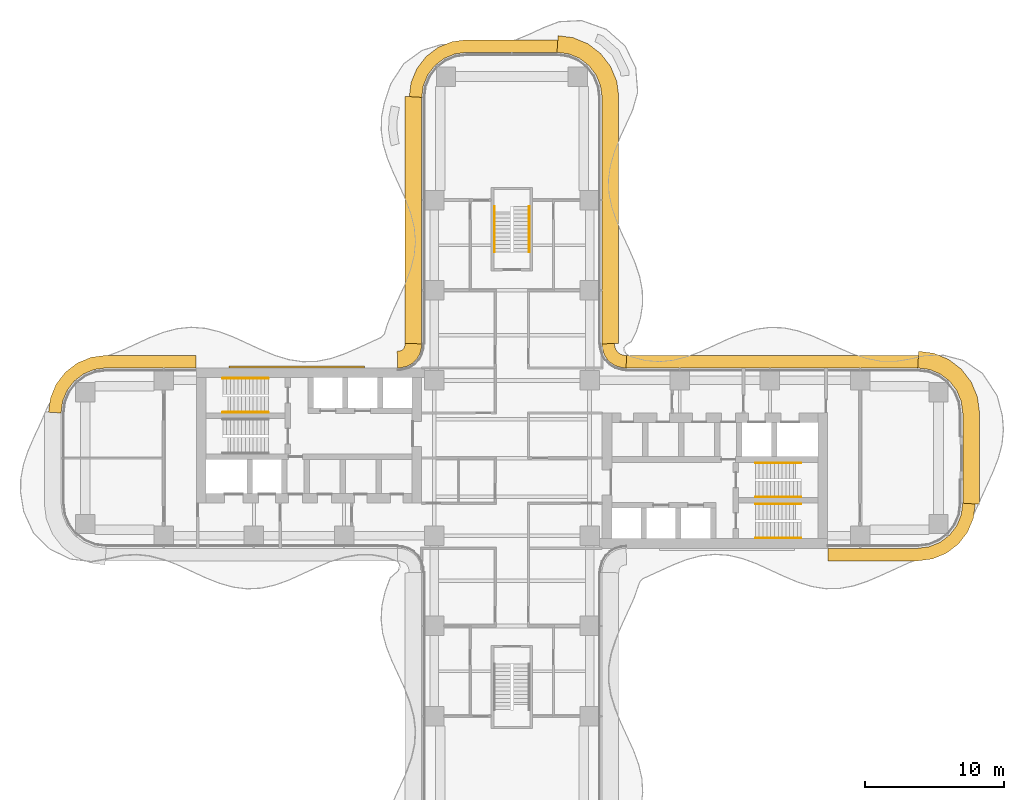
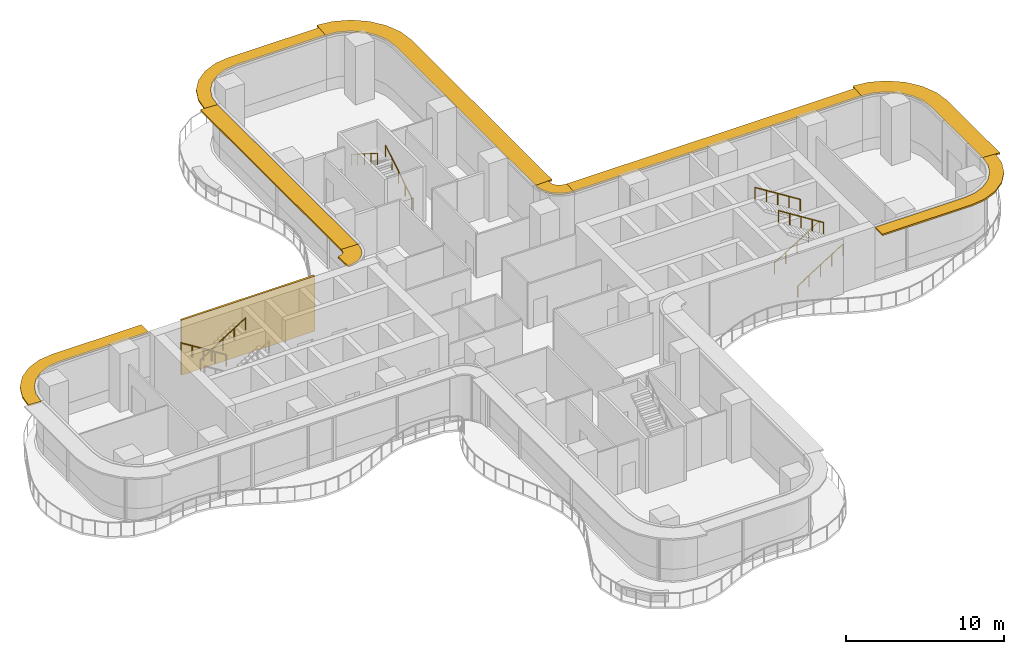
# One storey, part 22 of 22: 9 shading devices, 8 railings, 1 covering.
"""IFC4 building model written with IfcOpenShell, lengths in metres."""

from ifc_helpers import new_model, si_unit, direction, frame, origin, origin_2d, place, context, subcontext, project, spatial, polyline, circle, outline, extrude, source, transform, mapped, material, layer, layer_set, type_object, element, save


model = new_model("IFC4")

# Units and contexts
model_context = context("Model", 3, precision=1e-05, world=origin(), true_north=direction((0.0, 1.0)))
body_context = subcontext(model_context, "Body", "Model", "MODEL_VIEW")
ifc_project = project(units=[si_unit("LENGTHUNIT", "METRE"), si_unit("AREAUNIT", "SQUARE_METRE"), si_unit("VOLUMEUNIT", "CUBIC_METRE"), si_unit("PLANEANGLEUNIT", "RADIAN"), si_unit("MASSUNIT", "GRAM", prefix="KILO")], contexts=[model_context])

# Site, building, storey
site_placement = place(None, origin())
site = spatial("IfcSite", under=ifc_project, at=site_placement, CompositionType="ELEMENT")
building_placement = place(site_placement, origin())
building = spatial("IfcBuilding", under=site, at=building_placement, Name="Trellis Farm Tower", CompositionType="ELEMENT")
storey_placement = place(building_placement, frame((0.0, 0.0, 38.5)))
storey = spatial("IfcBuildingStorey", under=building, at=storey_placement, Name="L07", CompositionType="ELEMENT", Elevation=38.5)

# Railings
ifc_material_1 = material(Name="Stainless steel", Category="steel")
railing_type = type_object("IfcRailingType", Name="STAIR HANDRAIL 900", PredefinedType="HANDRAIL", material=ifc_material_1)
shared_shape_1 = source(origin(), body_context, "Body", "SweptSolid", [
    extrude(circle(Radius=0.02392578125, at=origin_2d()), frame((0.0, 0.0, 0.8759765625), z_axis=(0.0, 0.846319618018, 0.532675421018), x_axis=(-1.0, 0.0, 0.0)), (0.0, 0.0, 1.0), 3.89892578125),
    extrude(circle(Radius=0.02099609375, at=origin_2d()), origin(), (0.0, 0.0, 1.0), 0.851806640625),
    extrude(circle(Radius=0.02099609375, at=origin_2d()), frame((0.0, 0.824951171875, 0.519287109375)), (0.0, 0.0, 1.0), 0.851806640625),
    extrude(circle(Radius=0.02099609375, at=origin_2d()), frame((0.0, 1.64990234375, 1.03857421875)), (0.0, 0.0, 1.0), 0.851806640625),
    extrude(circle(Radius=0.02099609375, at=origin_2d()), frame((0.0, 2.474853515625, 1.5576171875)), (0.0, 0.0, 1.0), 0.851806640625),
    extrude(circle(Radius=0.02099609375, at=origin_2d()), frame((0.0, 3.2998046875, 2.076904296875)), (0.0, 0.0, 1.0), 0.851806640625),
])
railing_1_placement = place(storey_placement, frame((1.25, 14.85009765625, 0.173095703125)))
element("IfcRailing", 1, at=railing_1_placement, inside=storey, type_object=railing_type, Name="Stair handrail", PredefinedType="HANDRAIL", context=body_context, shape_type="MappedRepresentation", body=[
    mapped(shared_shape_1, transform((0.0, 0.0, 0.0))),
])
shared_shape_2 = source(origin(), body_context, "Body", "SweptSolid", [
    extrude(circle(Radius=0.02392578125, at=origin_2d()), frame((0.0, 0.0, 0.8759765625), z_axis=(0.0, -0.846319618018, 0.532675421018), x_axis=(1.0, 0.0, 0.0)), (0.0, 0.0, 1.0), 3.89892578125),
    extrude(circle(Radius=0.02099609375, at=origin_2d()), origin(), (0.0, 0.0, 1.0), 0.851806640625),
    extrude(circle(Radius=0.02099609375, at=origin_2d()), frame((0.0, -0.824951171875, 0.519287109375)), (0.0, 0.0, 1.0), 0.851806640625),
    extrude(circle(Radius=0.02099609375, at=origin_2d()), frame((0.0, -1.64990234375, 1.03857421875)), (0.0, 0.0, 1.0), 0.851806640625),
    extrude(circle(Radius=0.02099609375, at=origin_2d()), frame((0.0, -2.474853515625, 1.5576171875)), (0.0, 0.0, 1.0), 0.851806640625),
    extrude(circle(Radius=0.02099609375, at=origin_2d()), frame((0.0, -3.2998046875, 2.076904296875)), (0.0, 0.0, 1.0), 0.851806640625),
])
railing_2_placement = place(storey_placement, frame((-1.25, 18.14990234375, 2.423095703125)))
element("IfcRailing", 2, at=railing_2_placement, inside=storey, type_object=railing_type, Name="Stair handrail", PredefinedType="HANDRAIL", context=body_context, shape_type="MappedRepresentation", body=[
    mapped(shared_shape_2, transform((0.0, 0.0, 0.0))),
])
shared_shape_3 = source(origin(), body_context, "Body", "SweptSolid", [
    extrude(circle(Radius=0.02392578125, at=origin_2d()), frame((0.0, 0.0, 0.8759765625), z_axis=(0.846337383501, 0.0, 0.532647194011), x_axis=(0.0, 1.0, 0.0)), (0.0, 0.0, 1.0), 3.899169921875),
    extrude(circle(Radius=0.02099609375, at=origin_2d()), origin(), (0.0, 0.0, 1.0), 0.851806640625),
    extrude(circle(Radius=0.02099609375, at=origin_2d()), frame((0.824951171875, 0.0, 0.519287109375)), (0.0, 0.0, 1.0), 0.851806640625),
    extrude(circle(Radius=0.02099609375, at=origin_2d()), frame((1.64990234375, 0.0, 1.03857421875)), (0.0, 0.0, 1.0), 0.851806640625),
    extrude(circle(Radius=0.02099609375, at=origin_2d()), frame((2.47509765625, 0.0, 1.5576171875)), (0.0, 0.0, 1.0), 0.851806640625),
    extrude(circle(Radius=0.02099609375, at=origin_2d()), frame((3.300048828125, 0.0, 2.076904296875)), (0.0, 0.0, 1.0), 0.851806640625),
])
for number, where, name in (
    (3, (17.550048828125, -5.75, 0.173095703125), "Stair handrail"),
    (4, (17.550048828125, -2.800048828125, 0.173095703125), "Stair handrail"),
    (5, (-20.85009765625, 3.300048828125, 2.423095703125), "Stair handrail"),
):
    element("IfcRailing", number, at=place(storey_placement, frame(where)), inside=storey, type_object=railing_type, Name=name, PredefinedType="HANDRAIL", context=body_context, shape_type="MappedRepresentation", body=[
        mapped(shared_shape_3, transform((0.0, 0.0, 0.0))),
    ])
shared_shape_4 = source(origin(), body_context, "Body", "SweptSolid", [
    extrude(circle(Radius=0.02392578125, at=origin_2d()), frame((0.0, 0.0, 0.8759765625), z_axis=(-0.846337383501, 0.0, 0.532647194011), x_axis=(0.0, -1.0, 0.0)), (0.0, 0.0, 1.0), 3.899169921875),
    extrude(circle(Radius=0.02099609375, at=origin_2d()), origin(), (0.0, 0.0, 1.0), 0.851806640625),
    extrude(circle(Radius=0.02099609375, at=origin_2d()), frame((-0.824951171875, 0.0, 0.519287109375)), (0.0, 0.0, 1.0), 0.851806640625),
    extrude(circle(Radius=0.02099609375, at=origin_2d()), frame((-1.64990234375, 0.0, 1.03857421875)), (0.0, 0.0, 1.0), 0.851806640625),
    extrude(circle(Radius=0.02099609375, at=origin_2d()), frame((-2.47509765625, 0.0, 1.5576171875)), (0.0, 0.0, 1.0), 0.851806640625),
    extrude(circle(Radius=0.02099609375, at=origin_2d()), frame((-3.300048828125, 0.0, 2.076904296875)), (0.0, 0.0, 1.0), 0.851806640625),
])
for number, where, name in (
    (6, (20.85009765625, -3.300048828125, 2.423095703125), "Stair handrail"),
    (7, (20.85009765625, -0.35009765625, 2.423095703125), "Stair handrail"),
    (8, (-17.550048828125, 5.75, 0.173095703125), "Stair handrail"),
):
    element("IfcRailing", number, at=place(storey_placement, frame(where)), inside=storey, type_object=railing_type, Name=name, PredefinedType="HANDRAIL", context=body_context, shape_type="MappedRepresentation", body=[
        mapped(shared_shape_4, transform((0.0, 0.0, 0.0))),
    ])

# Shading devices
ifc_material_2 = material(Name="Aluminium extrusion 6063-T6", Category="aluminium")
ifc_layer_1 = layer(ifc_material_2, 0.1201171875)
ifc_layer_set_1 = layer_set([ifc_layer_1], Name="SUNSHADE BLADE 900")
shading_device_type_1 = type_object("IfcShadingDeviceType", Name="SUNSHADE BLADE 900", PredefinedType="USERDEFINED", material=ifc_layer_set_1)
shared_shape_5 = source(origin(), body_context, "Body", "SweptSolid", [
    extrude(outline(polyline([(22.780029296875, -7.39990234375), (29.30908203125, -7.39990234375), (30.326171875, -7.26611328125), (31.328857421875, -6.850830078125), (32.18994140625, -6.18994140625), (32.850830078125, -5.328857421875), (33.26611328125, -4.326171875), (33.39990234375, -3.30908203125), (32.5, -3.25), (32.38916015625, -4.091064453125), (32.064697265625, -4.875), (31.548095703125, -5.548095703125), (30.875, -6.064697265625), (30.091064453125, -6.38916015625), (29.25, -6.5), (22.780029296875, -6.5), (22.780029296875, -7.39990234375)])), origin(), (0.0, 0.0, 1.0), 0.119873046875),
])
placement = place(storey_placement, frame((0.0, 0.0, 4.090087890625)))
element("IfcShadingDevice", 9, at=placement, inside=storey, type_object=shading_device_type_1, Name="SD1 007", ObjectType="SUNSHADE", PredefinedType="USERDEFINED", context=body_context, shape_type="MappedRepresentation", body=[
    mapped(shared_shape_5, transform((0.0, 0.0, 0.0))),
])
ifc_layer_2 = layer(ifc_material_2, 0.1201171875)
ifc_layer_set_2 = layer_set([ifc_layer_2], Name="SUNSHADE BLADE 1200")
shading_device_type_2 = type_object("IfcShadingDeviceType", Name="SUNSHADE BLADE 1200", PredefinedType="USERDEFINED", material=ifc_layer_set_2)
shared_shape_6 = source(origin(), body_context, "Body", "SweptSolid", [
    extrude(outline(polyline([(33.699951171875, -3.32861328125), (33.699951171875, 3.32861328125), (33.558349609375, 4.404541015625), (33.11279296875, 5.480224609375), (32.404052734375, 6.404052734375), (31.480224609375, 7.11279296875), (30.404541015625, 7.558349609375), (29.32861328125, 7.699951171875), (29.25, 6.5), (30.091064453125, 6.38916015625), (30.875, 6.064697265625), (31.548095703125, 5.548095703125), (32.064697265625, 4.875), (32.38916015625, 4.091064453125), (32.5, 3.25), (32.5, -3.25), (33.699951171875, -3.32861328125)])), origin(), (0.0, 0.0, 1.0), 0.119873046875),
])
element("IfcShadingDevice", 10, at=placement, inside=storey, type_object=shading_device_type_2, Name="SD2 008", ObjectType="SUNSHADE", PredefinedType="USERDEFINED", context=body_context, shape_type="MappedRepresentation", body=[
    mapped(shared_shape_6, transform((0.0, 0.0, 0.0))),
])
shared_shape_7 = source(origin(), body_context, "Body", "SweptSolid", [
    extrude(outline(polyline([(29.30908203125, 7.39990234375), (8.2607421875, 7.39990234375), (8.2314453125, 6.5), (29.25, 6.5), (29.30908203125, 7.39990234375)])), origin(), (0.0, 0.0, 1.0), 0.119873046875),
])
element("IfcShadingDevice", 11, at=placement, inside=storey, type_object=shading_device_type_1, Name="SD1 009", ObjectType="SUNSHADE", PredefinedType="USERDEFINED", context=body_context, shape_type="MappedRepresentation", body=[
    mapped(shared_shape_7, transform((0.0, 0.0, 0.0))),
])
shared_shape_8 = source(origin(), body_context, "Body", "SweptSolid", [
    extrude(outline(polyline([(8.2607421875, 7.39990234375), (8.107666015625, 7.409912109375), (8.091552734375, 7.412109375), (7.85595703125, 7.475341796875), (7.697021484375, 7.567138671875), (7.567138671875, 7.697021484375), (7.475341796875, 7.85595703125), (7.412109375, 8.091552734375), (7.409912109375, 8.107666015625), (7.39990234375, 8.2607421875), (6.5, 8.2314453125), (6.513916015625, 8.01953125), (6.527587890625, 7.91552734375), (6.63671875, 7.508544921875), (6.846923828125, 7.144287109375), (7.144287109375, 6.846923828125), (7.508544921875, 6.63671875), (7.91552734375, 6.527587890625), (8.01953125, 6.513916015625), (8.2314453125, 6.5), (8.2607421875, 7.39990234375)])), origin(), (0.0, 0.0, 1.0), 0.119873046875),
])
element("IfcShadingDevice", 12, at=placement, inside=storey, type_object=shading_device_type_1, Name="SD1 010", ObjectType="SUNSHADE", PredefinedType="USERDEFINED", context=body_context, shape_type="MappedRepresentation", body=[
    mapped(shared_shape_8, transform((0.0, 0.0, 0.0))),
])
shared_shape_9 = source(origin(), body_context, "Body", "SweptSolid", [
    extrude(outline(polyline([(7.699951171875, 8.270751953125), (7.699951171875, 26.07861328125), (7.558349609375, 27.154541015625), (7.11279296875, 28.230224609375), (6.404052734375, 29.154052734375), (5.480224609375, 29.86279296875), (4.404541015625, 30.308349609375), (3.32861328125, 30.449951171875), (3.25, 29.25), (4.091064453125, 29.13916015625), (4.875, 28.814697265625), (5.548095703125, 28.298095703125), (6.064697265625, 27.625), (6.38916015625, 26.841064453125), (6.5, 26.0), (6.5, 8.2314453125), (7.699951171875, 8.270751953125)])), origin(), (0.0, 0.0, 1.0), 0.119873046875),
])
element("IfcShadingDevice", 13, at=placement, inside=storey, type_object=shading_device_type_2, Name="SD2 011", ObjectType="SUNSHADE", PredefinedType="USERDEFINED", context=body_context, shape_type="MappedRepresentation", body=[
    mapped(shared_shape_9, transform((0.0, 0.0, 0.0))),
])
shared_shape_10 = source(origin(), body_context, "Body", "SweptSolid", [
    extrude(outline(polyline([(3.30908203125, 30.14990234375), (-3.30908203125, 30.14990234375), (-4.326171875, 30.01611328125), (-5.328857421875, 29.600830078125), (-6.18994140625, 28.93994140625), (-6.850830078125, 28.078857421875), (-7.26611328125, 27.076171875), (-7.39990234375, 26.05908203125), (-6.5, 26.0), (-6.38916015625, 26.841064453125), (-6.064697265625, 27.625), (-5.548095703125, 28.298095703125), (-4.875, 28.814697265625), (-4.091064453125, 29.13916015625), (-3.25, 29.25), (3.25, 29.25), (3.30908203125, 30.14990234375)])), origin(), (0.0, 0.0, 1.0), 0.119873046875),
])
element("IfcShadingDevice", 14, at=placement, inside=storey, type_object=shading_device_type_1, Name="SD1 012", ObjectType="SUNSHADE", PredefinedType="USERDEFINED", context=body_context, shape_type="MappedRepresentation", body=[
    mapped(shared_shape_10, transform((0.0, 0.0, 0.0))),
])
shared_shape_11 = source(origin(), body_context, "Body", "SweptSolid", [
    extrude(outline(polyline([(-7.699951171875, 26.07861328125), (-7.699951171875, 8.270751953125), (-6.5, 8.2314453125), (-6.5, 26.0), (-7.699951171875, 26.07861328125)])), origin(), (0.0, 0.0, 1.0), 0.119873046875),
])
element("IfcShadingDevice", 15, at=placement, inside=storey, type_object=shading_device_type_2, Name="SD2 013", ObjectType="SUNSHADE", PredefinedType="USERDEFINED", context=body_context, shape_type="MappedRepresentation", body=[
    mapped(shared_shape_11, transform((0.0, 0.0, 0.0))),
])
shared_shape_12 = source(origin(), body_context, "Body", "SweptSolid", [
    extrude(outline(polyline([(-7.699951171875, 8.270751953125), (-7.708740234375, 8.13720703125), (-7.70703125, 8.150146484375), (-7.7548828125, 7.9716796875), (-7.80712890625, 7.881103515625), (-7.881103515625, 7.80712890625), (-7.9716796875, 7.7548828125), (-8.150146484375, 7.70703125), (-8.13720703125, 7.708740234375), (-8.270751953125, 7.699951171875), (-8.2314453125, 6.5), (-8.01953125, 6.513916015625), (-7.91552734375, 6.527587890625), (-7.508544921875, 6.63671875), (-7.144287109375, 6.846923828125), (-6.846923828125, 7.144287109375), (-6.63671875, 7.508544921875), (-6.527587890625, 7.91552734375), (-6.513916015625, 8.01953125), (-6.5, 8.2314453125), (-7.699951171875, 8.270751953125)])), origin(), (0.0, 0.0, 1.0), 0.119873046875),
])
element("IfcShadingDevice", 16, at=placement, inside=storey, type_object=shading_device_type_2, Name="SD2 014", ObjectType="SUNSHADE", PredefinedType="USERDEFINED", context=body_context, shape_type="MappedRepresentation", body=[
    mapped(shared_shape_12, transform((0.0, 0.0, 0.0))),
])
shared_shape_13 = source(origin(), body_context, "Body", "SweptSolid", [
    extrude(outline(polyline([(-22.780029296875, 7.39990234375), (-29.30908203125, 7.39990234375), (-30.326171875, 7.26611328125), (-31.328857421875, 6.850830078125), (-32.18994140625, 6.18994140625), (-32.850830078125, 5.328857421875), (-33.26611328125, 4.326171875), (-33.39990234375, 3.30908203125), (-32.5, 3.25), (-32.38916015625, 4.091064453125), (-32.064697265625, 4.875), (-31.548095703125, 5.548095703125), (-30.875, 6.064697265625), (-30.091064453125, 6.38916015625), (-29.25, 6.5), (-22.780029296875, 6.5), (-22.780029296875, 7.39990234375)])), origin(), (0.0, 0.0, 1.0), 0.119873046875),
])
element("IfcShadingDevice", 17, at=placement, inside=storey, type_object=shading_device_type_1, Name="SD1 015", ObjectType="SUNSHADE", PredefinedType="USERDEFINED", context=body_context, shape_type="MappedRepresentation", body=[
    mapped(shared_shape_13, transform((0.0, 0.0, 0.0))),
])

# Covering
ifc_material_3 = material(Name="Perforated precast screen (cobogo)", Category="concrete")
ifc_layer_3 = layer(ifc_material_3, 0.14990234375)
ifc_layer_set_3 = layer_set([ifc_layer_3], Name="COBOGO SCREEN PANEL")
covering_type = type_object("IfcCoveringType", Name="COBOGO SCREEN PANEL", PredefinedType="USERDEFINED", material=ifc_layer_set_3)
shared_shape_14 = source(origin(), body_context, "Body", "SweptSolid", [
    extrude(outline(polyline([(-10.630615234375, 6.64990234375), (-20.380615234375, 6.64990234375), (-20.380615234375, 6.5), (-10.630615234375, 6.5), (-10.630615234375, 6.64990234375)])), origin(), (0.0, 0.0, 1.0), 4.25),
])
covering_placement = place(storey_placement, origin())
element("IfcCovering", 18, at=covering_placement, inside=storey, type_object=covering_type, Name="SC1 02", ObjectType="SCREEN", PredefinedType="USERDEFINED", context=body_context, shape_type="MappedRepresentation", body=[
    mapped(shared_shape_14, transform((0.0, 0.0, 0.0))),
])

save(model, "model.ifc")
